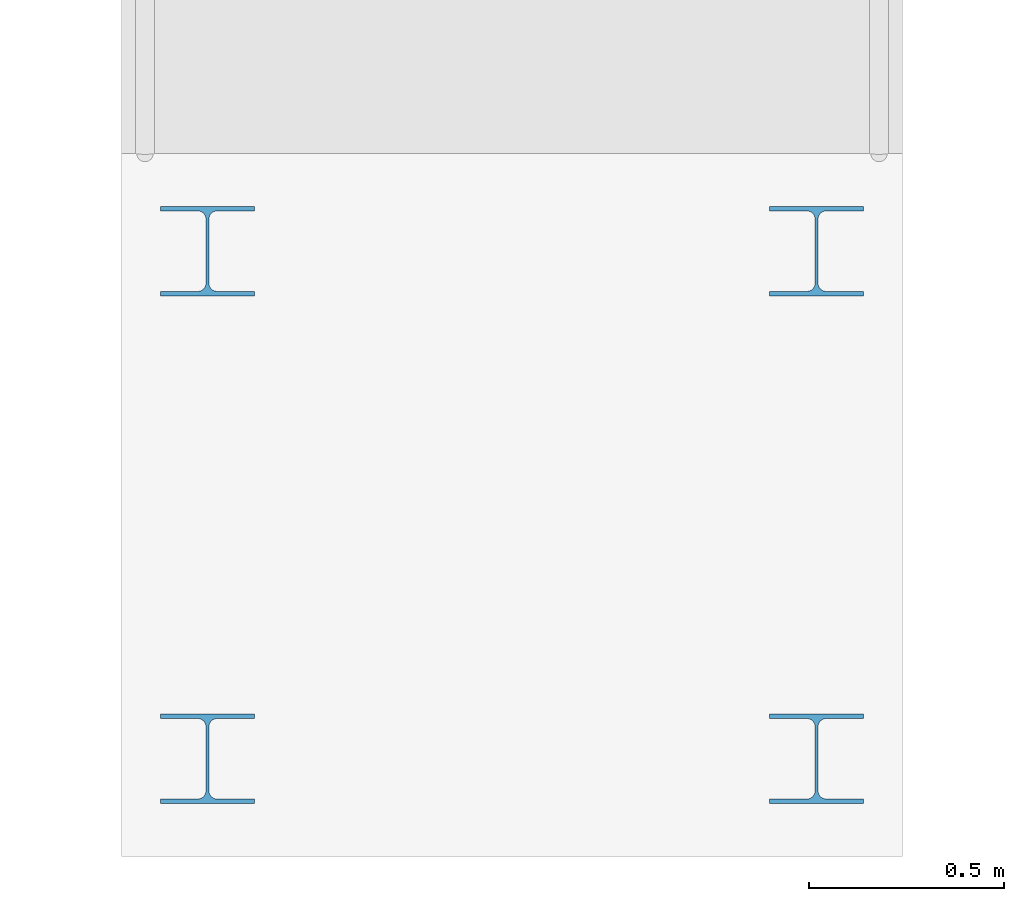
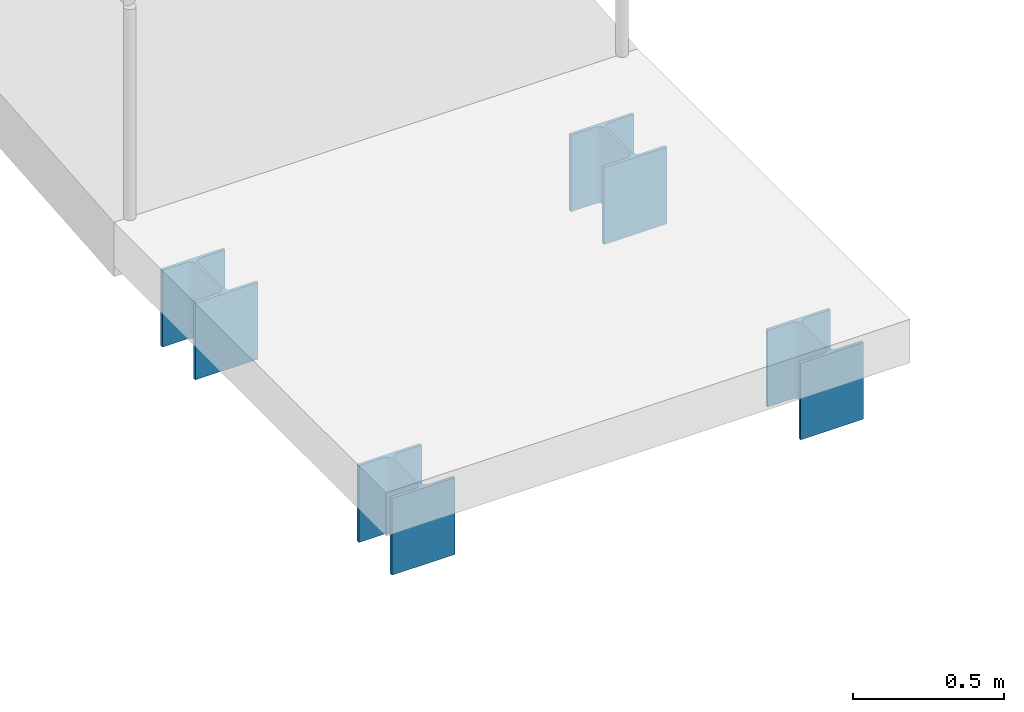
# One storey, part 44 of 86: 4 members.
"""IFC4 building model written with IfcOpenShell, lengths in metres."""

from ifc_helpers import new_model, si_unit, direction, frame, origin, origin_2d, place, context, subcontext, project, spatial, i_section, extrude, material, material_profile, profile_set, type_object, element, save


model = new_model("IFC4")

# Units and contexts
model_context = context("Model", 3, precision=1e-05, world=origin(), true_north=direction((0.0, 1.0)))
body_context = subcontext(model_context, "Body", "Model", "MODEL_VIEW")
ifc_project = project(units=[si_unit("LENGTHUNIT", "METRE"), si_unit("AREAUNIT", "SQUARE_METRE"), si_unit("VOLUMEUNIT", "CUBIC_METRE"), si_unit("PLANEANGLEUNIT", "RADIAN"), si_unit("MASSUNIT", "GRAM", prefix="KILO")], contexts=[model_context])

# Site, building, storey
site_placement = place(None, origin())
site = spatial("IfcSite", under=ifc_project, at=site_placement, CompositionType="ELEMENT")
building_placement = place(site_placement, origin())
building = spatial("IfcBuilding", under=site, at=building_placement, Name="Kenh Van Central Station", CompositionType="ELEMENT")
storey_placement = place(building_placement, origin())
storey = spatial("IfcBuildingStorey", under=building, at=storey_placement, Name="L00", CompositionType="ELEMENT", Elevation=0.0)

# Members
ifc_material = material(Name="Steel S355", Category="steel")
ifc_material_profile = material_profile(ifc_material, i_section(OverallWidth=0.239990234375, OverallDepth=0.22998046875, WebThickness=0.007568359375, FlangeThickness=0.011962890625, FilletRadius=0.02099609375, at=origin_2d()), Name="HEA 240")
ifc_profile_set = profile_set([ifc_material_profile], Name="Steel S355")
member_type = type_object("IfcMemberType", Name="MEM-ROOF-POST240", PredefinedType="POST", material=ifc_profile_set)
for number, where, z_axis, x_axis, name in (
    (1, (60.780029296875, -7.64990234375, -0.89990234375), (0.0, 0.0, 1.0), (1.0, 0.0, 0.0), "Forecourt West Drop-Off Accessible Ramp landing support post 11"),
    (2, (59.219970703125, -7.64990234375, -0.89990234375), (0.0, 0.0, 1.0), (1.0, 0.0, 0.0), "Forecourt West Drop-Off Accessible Ramp landing support post 12"),
    (3, (60.780029296875, -8.949951171875, -0.89990234375), (0.0, 0.0, 1.0), (1.0, 0.0, 0.0), "Forecourt West Drop-Off Accessible Ramp landing support post 21"),
    (4, (59.219970703125, -8.949951171875, -0.89990234375), (0.0, 0.0, 1.0), (1.0, 0.0, 0.0), "Forecourt West Drop-Off Accessible Ramp landing support post 22"),
):
    element("IfcMember", number, at=place(storey_placement, frame(where, z_axis=z_axis, x_axis=x_axis)), inside=storey, type_object=member_type, Name=name, PredefinedType="POST", context=body_context, shape_type="SweptSolid", body=[
        extrude(i_section(OverallWidth=0.239990234375, OverallDepth=0.22998046875, WebThickness=0.007568359375, FlangeThickness=0.011962890625, FilletRadius=0.02099609375, at=origin_2d()), origin(), (0.0, 0.0, 1.0), 0.309814453125),
    ])

save(model, "model.ifc")
